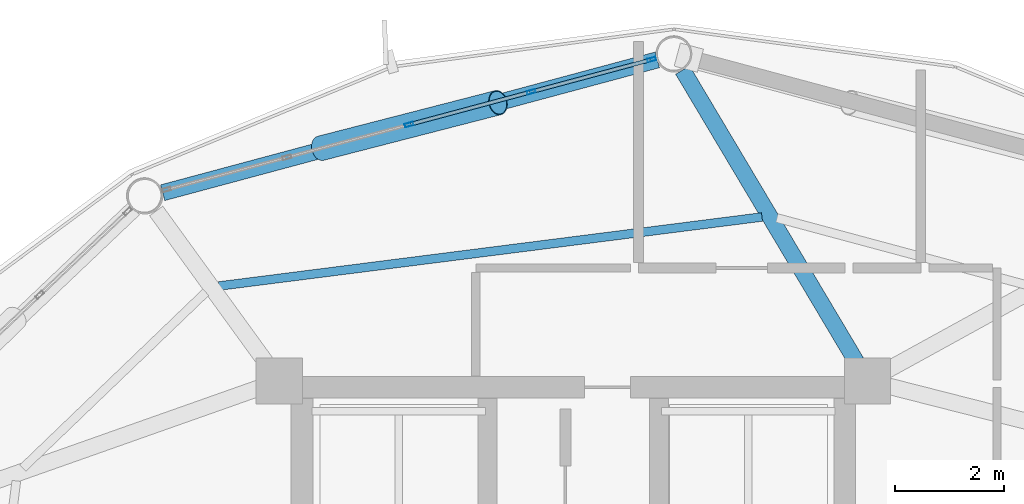
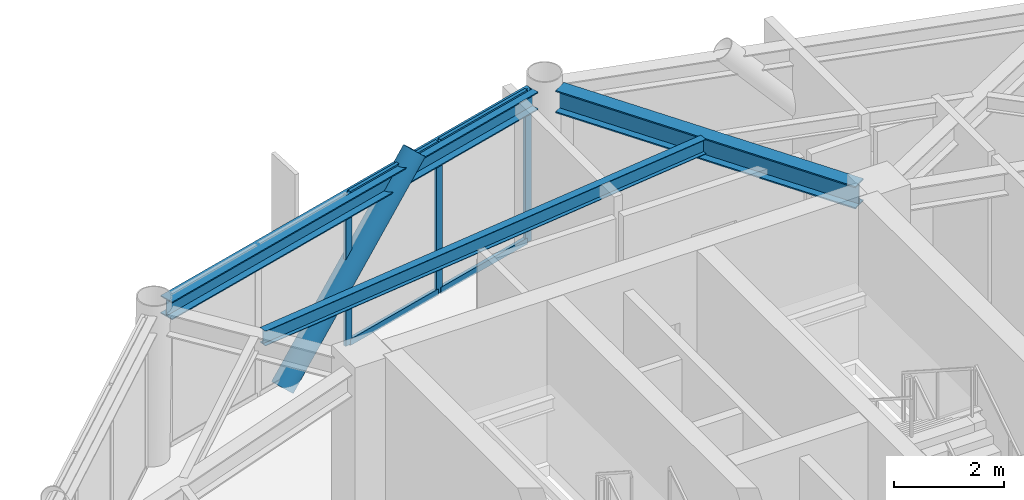
# One storey, part 19 of 28: 8 members, 3 beams, 1 element without a shape of its own.
"""IFC4 building model written with IfcOpenShell, lengths in metres."""

from ifc_helpers import new_model, si_unit, direction, frame, origin, origin_2d, place, context, subcontext, project, spatial, hollow_rectangle, hollow_circle, i_section, extrude, material, layer, layer_set, material_profile, profile_set, type_object, element, aggregate, save


model = new_model("IFC4")

# Units and contexts
model_context = context("Model", 3, precision=1e-05, world=origin(), true_north=direction((0.0, 1.0)))
body_context = subcontext(model_context, "Body", "Model", "MODEL_VIEW")
ifc_project = project(units=[si_unit("LENGTHUNIT", "METRE"), si_unit("AREAUNIT", "SQUARE_METRE"), si_unit("VOLUMEUNIT", "CUBIC_METRE"), si_unit("PLANEANGLEUNIT", "RADIAN"), si_unit("MASSUNIT", "GRAM", prefix="KILO")], contexts=[model_context])

# Site, building, storey
site_placement = place(None, origin())
site = spatial("IfcSite", under=ifc_project, at=site_placement, CompositionType="ELEMENT")
building_placement = place(site_placement, origin())
building = spatial("IfcBuilding", under=site, at=building_placement, Name="Varnakorn Sky Granary", CompositionType="ELEMENT")
storey_placement = place(building_placement, frame((0.0, 0.0, 186.0)))
storey = spatial("IfcBuildingStorey", under=building, at=storey_placement, Name="L46", CompositionType="ELEMENT", Elevation=186.0)

# Beams
ifc_material_1 = material(Name="Steel S355JR", Category="steel")
ifc_material_profile_1 = material_profile(ifc_material_1, i_section(OverallWidth=0.300048828125, OverallDepth=0.5, WebThickness=0.014404296875, FlangeThickness=0.028076171875, at=origin_2d()), Name="HE 500 B")
ifc_profile_set_1 = profile_set([ifc_material_profile_1], Name="Steel S355JR")
beam_type_1 = type_object("IfcBeamType", Name="BM-RAD-Z4", PredefinedType="BEAM", material=ifc_profile_set_1)
beam_1_placement = place(storey_placement, frame((8.212890625, 12.968017578125, 3.110107421875), z_axis=(-0.511647097622, 0.859195698019, 0.0), x_axis=(-0.859195698019, -0.511647097622, 0.0)))
element("IfcBeam", 1, at=beam_1_placement, inside=storey, type_object=beam_type_1, Name="Radial Floor Girder RG04 L46", PredefinedType="BEAM", context=body_context, shape_type="SweptSolid", body=[
    extrude(i_section(OverallWidth=0.300048828125, OverallDepth=0.5, WebThickness=0.014404296875, FlangeThickness=0.028076171875, at=origin_2d()), origin(), (0.0, 0.0, 1.0), 6.257568359375),
])
ifc_material_profile_2 = material_profile(ifc_material_1, i_section(OverallWidth=0.159912109375, OverallDepth=0.330078125, WebThickness=0.007568359375, FlangeThickness=0.011474609375, at=origin_2d()), Name="IPE 330")
ifc_profile_set_2 = profile_set([ifc_material_profile_2], Name="Steel S355JR")
beam_type_2 = type_object("IfcBeamType", Name="BM-SEC-Z4", PredefinedType="BEAM", material=ifc_profile_set_2)
beam_2_placement = place(storey_placement, frame((6.47314453125, 15.638427734375, 3.195068359375), z_axis=(-0.992014657807, -0.126122633563, 0.0), x_axis=(0.126122633563, -0.992014657807, 0.0)))
element("IfcBeam", 2, at=beam_2_placement, inside=storey, type_object=beam_type_2, Name="Secondary Floor Chord Beam MSB04 L46", PredefinedType="BEAM", context=body_context, shape_type="SweptSolid", body=[
    extrude(i_section(OverallWidth=0.159912109375, OverallDepth=0.330078125, WebThickness=0.007568359375, FlangeThickness=0.011474609375, at=origin_2d()), origin(), (0.0, 0.0, 1.0), 10.087158203125),
])
ifc_material_profile_3 = material_profile(ifc_material_1, i_section(OverallWidth=0.300048828125, OverallDepth=0.39990234375, WebThickness=0.013427734375, FlangeThickness=0.02392578125, at=origin_2d()), Name="HE 400 B")
ifc_profile_set_3 = profile_set([ifc_material_profile_3], Name="Steel S355JR")
beam_type_3 = type_object("IfcBeamType", Name="BM-SPD-Z4", PredefinedType="SPANDREL", material=ifc_profile_set_3)
beam_3_placement = place(storey_placement, frame((4.5458984375, 18.533203125, 3.159912109375), z_axis=(-0.965780427806, -0.259361071223, 0.0), x_axis=(0.259361071223, -0.965780427806, 0.0)))
element("IfcBeam", 3, at=beam_3_placement, inside=storey, type_object=beam_type_3, Name="Perimeter Spandrel Ring Beam RB04 L46", PredefinedType="SPANDREL", context=body_context, shape_type="SweptSolid", body=[
    extrude(i_section(OverallWidth=0.300048828125, OverallDepth=0.39990234375, WebThickness=0.013427734375, FlangeThickness=0.02392578125, at=origin_2d()), origin(), (0.0, 0.0, 1.0), 9.436767578125),
])

# Curtain wall, members
ifc_material_2 = material(Name="Anodised Bronze Aluminium Alloy 6063-T6", Category="aluminium")
ifc_layer = layer(ifc_material_2, 0.169921875, Name="Anodised Bronze Aluminium Alloy 6063-T6")
ifc_layer_set = layer_set([ifc_layer], Name="Anodised Bronze Aluminium Alloy 6063-T6")
curtain_wall_type = type_object("IfcCurtainWallType", Name="CW-LAB-1", PredefinedType="USERDEFINED", material=ifc_layer_set)
curtain_wall_placement = place(storey_placement, origin())
curtain_wall = element("IfcCurtainWall", 4, at=curtain_wall_placement, inside=storey, type_object=curtain_wall_type, Name="Unitised Curtain Wall CW5 CW-L46-B04", ObjectType="CURTAIN WALL", PredefinedType="USERDEFINED")
ifc_material_profile_4 = material_profile(ifc_material_2, hollow_rectangle(XDim=0.06494140625, YDim=0.159912109375, WallThickness=0.00341796875, at=origin_2d()), Name="ALU MULL 65x160")
ifc_profile_set_4 = profile_set([ifc_material_profile_4], Name="Anodised Bronze Aluminium Alloy 6063-T6")
member_type_1 = type_object("IfcMemberType", Name="CW-LAB-1-MULL", PredefinedType="MULLION", material=ifc_profile_set_4)
member_1_placement = place(storey_placement, frame((-0.028076171875, 17.34033203125, 0.0), z_axis=(0.0, 0.0, 1.0), x_axis=(-0.258925213654, 0.965897372258, 0.0)))
member_1 = element("IfcMember", 5, at=member_1_placement, type_object=member_type_1, Name="CW5 mullion 3", PredefinedType="MULLION", context=body_context, shape_type="SweptSolid", body=[
    extrude(hollow_rectangle(XDim=0.06494140625, YDim=0.159912109375, WallThickness=0.00341796875, at=origin_2d()), origin(), (0.0, 0.0, 1.0), 3.360107421875),
])
member_2_placement = place(storey_placement, frame((2.22265625, 17.943603515625, 0.0), z_axis=(0.0, 0.0, 1.0), x_axis=(-0.258925213654, 0.965897372258, 0.0)))
member_2 = element("IfcMember", 6, at=member_2_placement, type_object=member_type_1, Name="CW5 mullion 4", PredefinedType="MULLION", context=body_context, shape_type="SweptSolid", body=[
    extrude(hollow_rectangle(XDim=0.06494140625, YDim=0.159912109375, WallThickness=0.00341796875, at=origin_2d()), origin(), (0.0, 0.0, 1.0), 3.360107421875),
])
member_3_placement = place(storey_placement, frame((4.44189453125, 18.53857421875, 0.0), z_axis=(0.0, 0.0, 1.0), x_axis=(-0.258925213654, 0.965897372258, 0.0)))
member_3 = element("IfcMember", 7, at=member_3_placement, type_object=member_type_1, Name="CW5 mullion 5", PredefinedType="MULLION", context=body_context, shape_type="SweptSolid", body=[
    extrude(hollow_rectangle(XDim=0.06494140625, YDim=0.159912109375, WallThickness=0.00341796875, at=origin_2d()), origin(), (0.0, 0.0, 1.0), 3.360107421875),
])
ifc_material_profile_5 = material_profile(ifc_material_2, hollow_rectangle(XDim=0.070068359375, YDim=0.139892578125, WallThickness=0.00341796875, at=origin_2d()), Name="ALU TRAN 70x140")
ifc_profile_set_5 = profile_set([ifc_material_profile_5], Name="Anodised Bronze Aluminium Alloy 6063-T6")
member_type_2 = type_object("IfcMemberType", Name="CW-LAB-1-TRAN", PredefinedType="USERDEFINED", material=ifc_profile_set_5)
member_4_placement = place(storey_placement, frame((0.00341796875, 17.348876953125, 0.034912109375), z_axis=(0.965901372995, 0.2589102888, 0.0), x_axis=(-0.2589102888, 0.965901372995, 0.0)))
member_4 = element("IfcMember", 8, at=member_4_placement, type_object=member_type_2, Name="CW5 transom 3.1", ObjectType="TRANSOM", PredefinedType="USERDEFINED", context=body_context, shape_type="SweptSolid", body=[
    extrude(hollow_rectangle(XDim=0.070068359375, YDim=0.139892578125, WallThickness=0.00341796875, at=origin_2d()), origin(), (0.0, 0.0, 1.0), 2.264892578125),
])
member_5_placement = place(storey_placement, frame((0.00341796875, 17.348876953125, 3.324951171875), z_axis=(0.965901372995, 0.2589102888, 0.0), x_axis=(-0.2589102888, 0.965901372995, 0.0)))
member_5 = element("IfcMember", 9, at=member_5_placement, type_object=member_type_2, Name="CW5 transom 3.2", ObjectType="TRANSOM", PredefinedType="USERDEFINED", context=body_context, shape_type="SweptSolid", body=[
    extrude(hollow_rectangle(XDim=0.070068359375, YDim=0.139892578125, WallThickness=0.00341796875, at=origin_2d()), origin(), (0.0, 0.0, 1.0), 2.264892578125),
])
member_6_placement = place(storey_placement, frame((2.254150390625, 17.9521484375, 0.034912109375), z_axis=(0.965885549343, 0.258969313954, 0.0), x_axis=(-0.258969313954, 0.965885549343, 0.0)))
member_6 = element("IfcMember", 10, at=member_6_placement, type_object=member_type_2, Name="CW5 transom 4.1", ObjectType="TRANSOM", PredefinedType="USERDEFINED", context=body_context, shape_type="SweptSolid", body=[
    extrude(hollow_rectangle(XDim=0.070068359375, YDim=0.139892578125, WallThickness=0.00341796875, at=origin_2d()), origin(), (0.0, 0.0, 1.0), 2.232421875),
])
member_7_placement = place(storey_placement, frame((2.254150390625, 17.9521484375, 3.324951171875), z_axis=(0.965885549343, 0.258969313954, 0.0), x_axis=(-0.258969313954, 0.965885549343, 0.0)))
member_7 = element("IfcMember", 11, at=member_7_placement, type_object=member_type_2, Name="CW5 transom 4.2", ObjectType="TRANSOM", PredefinedType="USERDEFINED", context=body_context, shape_type="SweptSolid", body=[
    extrude(hollow_rectangle(XDim=0.070068359375, YDim=0.139892578125, WallThickness=0.00341796875, at=origin_2d()), origin(), (0.0, 0.0, 1.0), 2.232421875),
])
aggregate(curtain_wall, [member_1, member_2, member_3, member_4, member_5, member_6, member_7])

# Member
ifc_material_3 = material(Name="Steel S460M", Category="steel")
ifc_material_profile_6 = material_profile(ifc_material_3, hollow_circle(Radius=0.228515625, WallThickness=0.01611328125, at=origin_2d()), Name="CHS 457x16")
ifc_profile_set_6 = profile_set([ifc_material_profile_6], Name="Steel S460M")
member_type_3 = type_object("IfcMemberType", Name="MB-DIAG-T3", PredefinedType="BRACE", material=ifc_profile_set_6)
member_8_placement = place(storey_placement, frame((-1.654052734375, 16.904541015625, -0.1298828125), z_axis=(0.659861777512, 0.16986491931, 0.731934658126), x_axis=(-0.249297321136, 0.968426995532, 0.0)))
element("IfcMember", 12, at=member_8_placement, inside=storey, type_object=member_type_3, Name="Perimeter CHS Diagrid Brace DG04 L46", PredefinedType="BRACE", context=body_context, shape_type="SweptSolid", body=[
    extrude(hollow_circle(Radius=0.228515625, WallThickness=0.01611328125, at=origin_2d()), origin(), (0.0, 0.0, 1.0), 4.945556640625),
])

save(model, "model.ifc")
